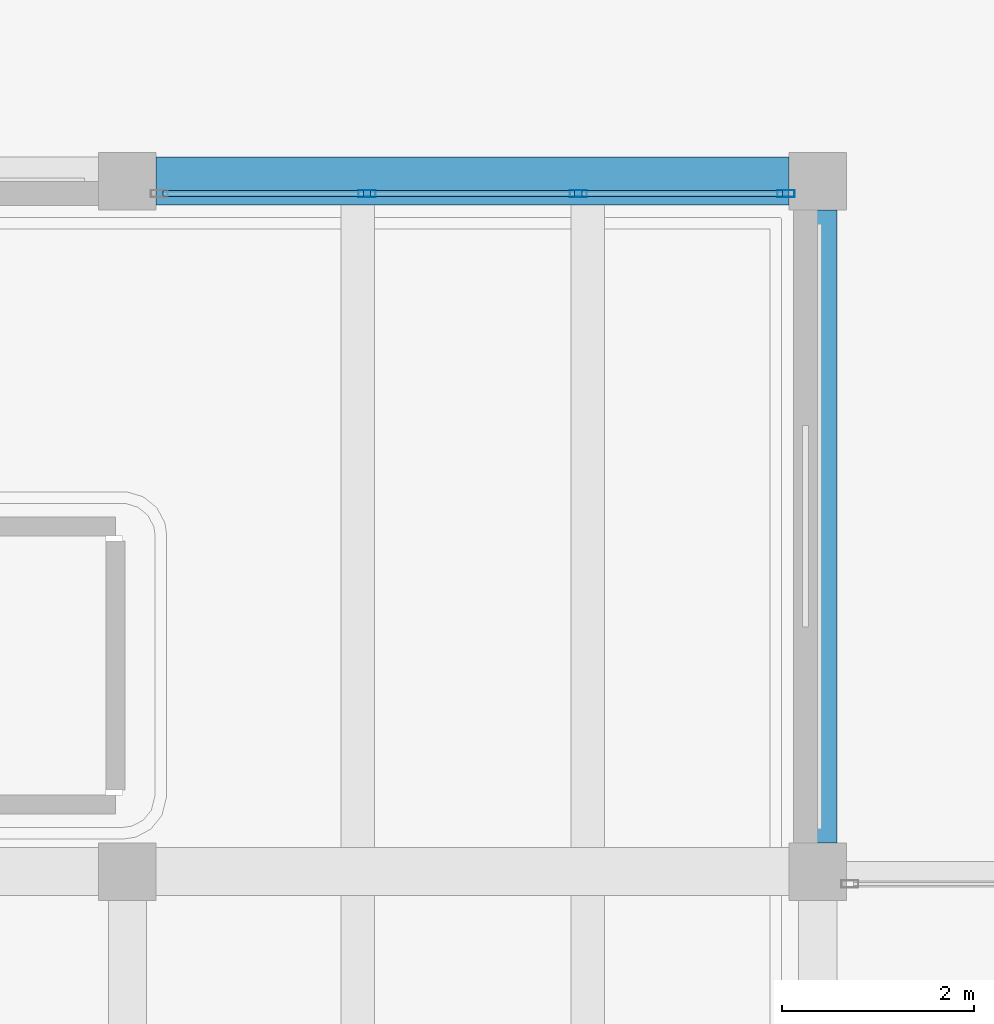
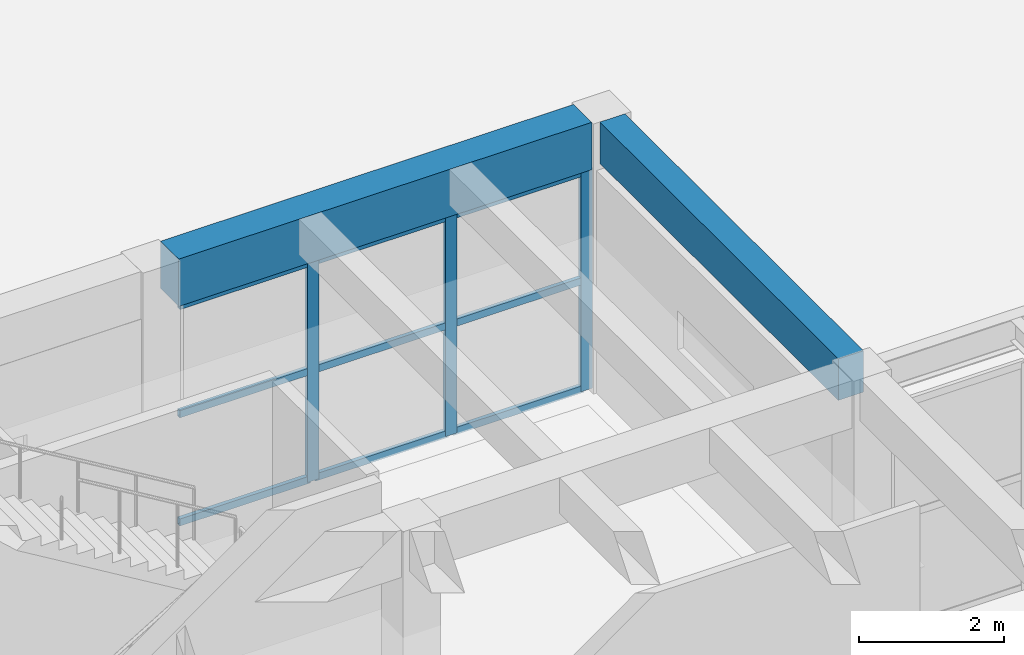
# One storey, part 26 of 155: 12 members, 2 beams, 1 element without a shape of its own.
"""IFC4 building model written with IfcOpenShell, lengths in metres."""

import ifcopenshell
import ifcopenshell.guid

model = None  # the IFC model being written
_history = None  # IfcOwnerHistory: only IFC2X3 demands one
_inside = {}  # id of a spatial element -> (the spatial element, [elements in it])
_under = {}  # id of a project, library or spatial element -> (it, [spatial elements below it])
_declared = {}  # id of a project -> (the project, [libraries it declares])
_typed = {}  # id of a type object -> (the type object, [elements of that type])
_made_of = {}  # id of a material, layer set ... -> (it, [elements and type objects made of it])


def new_model(schema):
    """Start an empty IFC model of exactly this schema.

    Asked for "IFC4X3", IfcOpenShell would pick the latest addendum, in which some entities
    have other attributes; the version numbers below select the first issue.
    IFC2X3 requires an IfcOwnerHistory on every rooted entity: one is made here for all.
    """
    global model, _history
    if schema == "IFC4X3":
        model = ifcopenshell.file(schema_version=(4, 3, 0, 0))
    else:
        model = ifcopenshell.file(schema=schema)
    _inside.clear()
    _under.clear()
    _declared.clear()
    _typed.clear()
    _made_of.clear()
    _history = None
    if model.schema == "IFC2X3":
        org = make("IfcOrganization", Name="unknown")
        user = make(
            "IfcPersonAndOrganization",
            ThePerson=make("IfcPerson", FamilyName="unknown"),
            TheOrganization=org,
        )
        app = make(
            "IfcApplication",
            ApplicationDeveloper=org,
            Version="unknown",
            ApplicationFullName="unknown",
            ApplicationIdentifier="unknown",
        )
        _history = make(
            "IfcOwnerHistory",
            OwningUser=user,
            OwningApplication=app,
            ChangeAction="ADDED",
            CreationDate=0,
        )
    return model


def make(cls, **values):
    """One entity of the class cls with the attributes given. An attribute that is None is left unset."""
    return model.create_entity(
        cls, **{name: value for name, value in values.items() if value is not None}
    )


def rooted(cls, **values):
    """An entity with a GlobalId (a new one), such as an element, a storey or a relation."""
    return make(cls, GlobalId=ifcopenshell.guid.new(), OwnerHistory=_history, **values)


def si_unit(unit_type, name, prefix=None):
    """IfcSIUnit, for example si_unit("LENGTHUNIT", "METRE", prefix="MILLI")."""
    return make("IfcSIUnit", UnitType=unit_type, Prefix=prefix, Name=name)


def assignment(units):
    """IfcUnitAssignment: the units of a project."""
    return None if units is None else make("IfcUnitAssignment", Units=units)


def point(xyz):
    """IfcCartesianPoint."""
    return None if xyz is None else make("IfcCartesianPoint", Coordinates=xyz)


def direction(xyz):
    """IfcDirection."""
    return None if xyz is None else make("IfcDirection", DirectionRatios=xyz)


def frame(location, z_axis=None, x_axis=None):
    """IfcAxis2Placement3D, a coordinate frame: its origin and axes. An axis left out is left unset."""
    return make(
        "IfcAxis2Placement3D",
        Location=point(location),
        Axis=direction(z_axis),
        RefDirection=direction(x_axis),
    )


def frame_2d(location, x_axis=None):
    """IfcAxis2Placement2D, a coordinate frame in the plane: its origin and x axis."""
    return make(
        "IfcAxis2Placement2D", Location=point(location), RefDirection=direction(x_axis)
    )


def origin():
    """The frame at (0, 0, 0) with its axes left unset."""
    return frame((0.0, 0.0, 0.0))


def origin_2d():
    """The frame at (0, 0) in the plane with its x axis left unset."""
    return frame_2d((0.0, 0.0))


def place(relative_to, where):
    """IfcLocalPlacement: puts the frame where relative to a parent placement (None: the world)."""
    return make(
        "IfcLocalPlacement", PlacementRelTo=relative_to, RelativePlacement=where
    )


def context(
    kind, dimensions, precision=None, world=None, true_north=None, identifier=None
):
    """IfcGeometricRepresentationContext, for example the 3D "Model" context."""
    return make(
        "IfcGeometricRepresentationContext",
        ContextIdentifier=identifier,
        ContextType=kind,
        CoordinateSpaceDimension=dimensions,
        Precision=precision,
        WorldCoordinateSystem=world,
        TrueNorth=true_north,
    )


def subcontext(parent, identifier, kind, view, scale=None):
    """IfcGeometricRepresentationSubContext, for example "Body" below "Model"."""
    return make(
        "IfcGeometricRepresentationSubContext",
        ContextIdentifier=identifier,
        ContextType=kind,
        ParentContext=parent,
        TargetScale=scale,
        TargetView=view,
    )


def project(units=None, contexts=None):
    """IfcProject with its units and contexts."""
    return rooted(
        "IfcProject",
        Name="project",
        RepresentationContexts=contexts,
        UnitsInContext=assignment(units),
    )


def spatial(cls, under=None, at=None, **own):
    """A site, building, storey or space (cls), placed at a placement, below another one or the project."""
    s = rooted(cls, ObjectPlacement=at, **own)
    if under is not None:
        _under.setdefault(under.id(), (under, []))[1].append(s)
    return s


def profile(cls, at=None, kind="AREA", **sizes):
    """A parametric profile (cls). Its sizes go by their IFC names, for example OverallWidth=200.0."""
    return make(cls, ProfileType=kind, Position=at, **sizes)


def rectangle(**sizes):
    """IfcRectangleProfileDef."""
    return profile("IfcRectangleProfileDef", **sizes)


def hollow_rectangle(**sizes):
    """IfcRectangleHollowProfileDef."""
    return profile("IfcRectangleHollowProfileDef", **sizes)


def extrude(swept, where, along, depth):
    """IfcExtrudedAreaSolid: the profile swept, set in the frame where, extruded along a direction by depth."""
    return make(
        "IfcExtrudedAreaSolid",
        SweptArea=swept,
        Position=where,
        ExtrudedDirection=direction(along),
        Depth=depth,
    )


def shape(context_of_items, identifier, shape_type, items):
    """IfcShapeRepresentation: the items that make up one representation, for example the "Body"."""
    return make(
        "IfcShapeRepresentation",
        ContextOfItems=context_of_items,
        RepresentationIdentifier=identifier,
        RepresentationType=shape_type,
        Items=items,
    )


def material(Name=None, Category=None):
    """IfcMaterial."""
    return make("IfcMaterial", Name=Name, Category=Category)


def material_profile(
    of_material, cross_section, Name=None, Category=None, Priority=None
):
    """IfcMaterialProfile: a cross section and its material."""
    return make(
        "IfcMaterialProfile",
        Name=Name,
        Material=of_material,
        Profile=cross_section,
        Priority=Priority,
        Category=Category,
    )


def profile_set(profiles, Name=None, composite=None):
    """IfcMaterialProfileSet."""
    return make(
        "IfcMaterialProfileSet",
        Name=Name,
        MaterialProfiles=profiles,
        CompositeProfile=composite,
    )


def made_of(thing, what):
    """Note that an element or type object is made of a material, layer set ...; save() writes the relation."""
    if what is not None:
        _made_of.setdefault(what.id(), (what, []))[1].append(thing)
    return thing


def type_object(cls, material=None, **own):
    """A type object (cls), such as IfcWallType, which elements share."""
    return made_of(rooted(cls, **own), material)


def element(
    cls,
    number,
    at=None,
    inside=None,
    cuts=None,
    type_object=None,
    material=None,
    context=None,
    identifier="Body",
    shape_type=None,
    held_by="IfcProductDefinitionShape",
    body=None,
    shapes=None,
    **own,
):
    """One element of the class cls, such as IfcWall. Its Tag is "e" and its number.

    at: its placement. inside: the storey or other place that contains it. cuts: it is an
    opening in that element (IfcRelVoidsElement). A single representation is given by context,
    identifier, shape_type and body (its items); several are given by shapes. held_by: the class
    of the entity that holds the representations. save() writes the other relations.
    """
    e = rooted(cls, Tag="e%d" % number, ObjectPlacement=at, **own)
    if body is not None:
        shapes = [shape(context, identifier, shape_type, body)]
    if shapes is not None:
        e.Representation = make(held_by, Representations=shapes)
    if inside is not None:
        _inside.setdefault(inside.id(), (inside, []))[1].append(e)
    if cuts is not None:
        rooted(
            "IfcRelVoidsElement", RelatingBuildingElement=cuts, RelatedOpeningElement=e
        )
    if type_object is not None:
        _typed.setdefault(type_object.id(), (type_object, []))[1].append(e)
    return made_of(e, material)


def aggregate(whole, parts):
    """IfcRelAggregates: a whole, such as a stair, and the parts it consists of."""
    return rooted("IfcRelAggregates", RelatingObject=whole, RelatedObjects=parts)


def save(model, path):
    """Write the relations noted so far, then the file.

    IfcRelAggregates (storeys below a building ...), IfcRelContainedInSpatialStructure (elements
    in a storey), IfcRelDefinesByType, IfcRelAssociatesMaterial and IfcRelDeclares: one each for
    every whole, place, type object, material and project.
    """
    for whole, parts in _under.values():
        aggregate(whole, parts)
    for where, things in _inside.values():
        rooted(
            "IfcRelContainedInSpatialStructure",
            RelatedElements=things,
            RelatingStructure=where,
        )
    for kind, things in _typed.values():
        rooted("IfcRelDefinesByType", RelatedObjects=things, RelatingType=kind)
    for what, things in _made_of.values():
        rooted("IfcRelAssociatesMaterial", RelatedObjects=things, RelatingMaterial=what)
    for by, libraries in _declared.values():
        rooted("IfcRelDeclares", RelatingContext=by, RelatedDefinitions=libraries)
    model.write(path)


model = new_model("IFC4")

# Units and contexts
model_context = context("Model", 3, precision=1e-05, world=origin(), true_north=direction((0.0, 1.0)))
body_context = subcontext(model_context, "Body", "Model", "MODEL_VIEW")
ifc_project = project(units=[si_unit("LENGTHUNIT", "METRE"), si_unit("AREAUNIT", "SQUARE_METRE"), si_unit("VOLUMEUNIT", "CUBIC_METRE"), si_unit("PLANEANGLEUNIT", "RADIAN"), si_unit("MASSUNIT", "GRAM", prefix="KILO")], contexts=[model_context])

# Site, building, storey
site_placement = place(None, origin())
site = spatial("IfcSite", under=ifc_project, at=site_placement, CompositionType="ELEMENT")
building_placement = place(site_placement, origin())
building = spatial("IfcBuilding", under=site, at=building_placement, Name="Bramvelor Terrace Health Centre", CompositionType="ELEMENT")
storey_placement = place(building_placement, origin())
storey = spatial("IfcBuildingStorey", under=building, at=storey_placement, Name="L01", CompositionType="ELEMENT", Elevation=0.0)

# Beams
ifc_material_1 = material(Name="Concrete C40/50", Category="concrete")
ifc_material_profile_1 = material_profile(ifc_material_1, rectangle(XDim=0.39990234375, YDim=0.699951171875, at=origin_2d()), Name="RC 400x700")
ifc_profile_set_1 = profile_set([ifc_material_profile_1], Name="Concrete C40/50")
beam_type_1 = type_object("IfcBeamType", Name="BM-RC-G700", PredefinedType="BEAM", material=ifc_profile_set_1)
beam_1_placement = place(storey_placement, frame((28.800048828125, 57.89990234375, 4.2099609375), z_axis=(0.0, 1.0, 0.0), x_axis=(-1.0, 0.0, 0.0)))
element("IfcBeam", 1, at=beam_1_placement, inside=storey, type_object=beam_type_1, Name="L01 Floor Girder", PredefinedType="BEAM", context=body_context, shape_type="SweptSolid", body=[
    extrude(rectangle(XDim=0.39990234375, YDim=0.699951171875, at=origin_2d()), origin(), (0.0, 0.0, 1.0), 6.60009765625),
])
ifc_material_2 = material(Name="Concrete C40/50", Category="concrete")
ifc_material_profile_2 = material_profile(ifc_material_2, rectangle(XDim=0.5, YDim=0.800048828125, at=origin_2d()), Name="RC 500x800")
ifc_profile_set_2 = profile_set([ifc_material_profile_2], Name="Concrete C40/50")
beam_type_2 = type_object("IfcBeamType", Name="BM-RC-G800", PredefinedType="BEAM", material=ifc_profile_set_2)
beam_2_placement = place(storey_placement, frame((21.89990234375, 64.800048828125, 4.159912109375), z_axis=(1.0, 0.0, 0.0), x_axis=(0.0, 1.0, 0.0)))
element("IfcBeam", 2, at=beam_2_placement, inside=storey, type_object=beam_type_2, Name="L01 Floor Girder", PredefinedType="BEAM", context=body_context, shape_type="SweptSolid", body=[
    extrude(rectangle(XDim=0.5, YDim=0.800048828125, at=origin_2d()), origin(), (0.0, 0.0, 1.0), 6.60009765625),
])

# Curtain wall, members
ifc_material_3 = material(Name="Anodized aluminium and double low-E glass", Category="aluminium")
curtain_wall_type = type_object("IfcCurtainWallType", Name="CW-SYS-02", PredefinedType="NOTDEFINED", material=ifc_material_3)
curtain_wall_placement = place(storey_placement, origin())
curtain_wall = element("IfcCurtainWall", 3, at=curtain_wall_placement, inside=storey, type_object=curtain_wall_type, Name="L01 Unitized Curtain Wall 10", PredefinedType="NOTDEFINED")
ifc_material_4 = material(Name="Anodized aluminium 6063-T6", Category="aluminium")
ifc_material_profile_3 = material_profile(ifc_material_4, hollow_rectangle(XDim=0.074951171875, YDim=0.179931640625, WallThickness=0.00341796875, at=origin_2d()), Name="ALU-MUL 75x180x3.5")
ifc_profile_set_3 = profile_set([ifc_material_profile_3], Name="Anodized aluminium 6063-T6")
member_type_1 = type_object("IfcMemberType", Name="CW-MUL-65x180", PredefinedType="MULLION", material=ifc_profile_set_3)
member_1_placement = place(storey_placement, frame((24.098388671875, 64.669921875, 0.0), z_axis=(0.0, 0.0, 1.0), x_axis=(0.0, 1.0, 0.0)))
member_1 = element("IfcMember", 4, at=member_1_placement, type_object=member_type_1, Name="CW-02 mullion 2", PredefinedType="MULLION", context=body_context, shape_type="SweptSolid", body=[
    extrude(hollow_rectangle(XDim=0.074951171875, YDim=0.179931640625, WallThickness=0.00341796875, at=origin_2d()), origin(), (0.0, 0.0, 1.0), 3.719970703125),
])
member_2_placement = place(storey_placement, frame((26.3017578125, 64.669921875, 0.0), z_axis=(0.0, 0.0, 1.0), x_axis=(0.0, 1.0, 0.0)))
member_2 = element("IfcMember", 5, at=member_2_placement, type_object=member_type_1, Name="CW-02 mullion 3", PredefinedType="MULLION", context=body_context, shape_type="SweptSolid", body=[
    extrude(hollow_rectangle(XDim=0.074951171875, YDim=0.179931640625, WallThickness=0.00341796875, at=origin_2d()), origin(), (0.0, 0.0, 1.0), 3.719970703125),
])
member_3_placement = place(storey_placement, frame((28.467529296875, 64.669921875, 0.0), z_axis=(0.0, 0.0, 1.0), x_axis=(0.0, 1.0, 0.0)))
member_3 = element("IfcMember", 6, at=member_3_placement, type_object=member_type_1, Name="CW-02 mullion 4", PredefinedType="MULLION", context=body_context, shape_type="SweptSolid", body=[
    extrude(hollow_rectangle(XDim=0.074951171875, YDim=0.179931640625, WallThickness=0.00341796875, at=origin_2d()), origin(), (0.0, 0.0, 1.0), 3.719970703125),
])
ifc_material_5 = material(Name="Anodized aluminium 6063-T6", Category="aluminium")
ifc_material_profile_4 = material_profile(ifc_material_5, hollow_rectangle(XDim=0.06494140625, YDim=0.1201171875, WallThickness=0.0029296875, at=origin_2d()), Name="ALU-TRN 65x120x3.0")
ifc_profile_set_4 = profile_set([ifc_material_profile_4], Name="Anodized aluminium 6063-T6")
member_type_2 = type_object("IfcMemberType", Name="CW-TRN-65x150", PredefinedType="USERDEFINED", material=ifc_profile_set_4)
member_4_placement = place(storey_placement, frame((21.969970703125, 64.669921875, 0.032470703125), z_axis=(1.0, 0.0, 0.0), x_axis=(0.0, 1.0, 0.0)))
member_4 = element("IfcMember", 7, at=member_4_placement, type_object=member_type_2, Name="CW-02 transom 1.1", ObjectType="TRANSOM", PredefinedType="USERDEFINED", context=body_context, shape_type="SweptSolid", body=[
    extrude(hollow_rectangle(XDim=0.06494140625, YDim=0.1201171875, WallThickness=0.0029296875, at=origin_2d()), origin(), (0.0, 0.0, 1.0), 2.0908203125),
])
member_5_placement = place(storey_placement, frame((21.969970703125, 64.669921875, 1.860107421875), z_axis=(1.0, 0.0, 0.0), x_axis=(0.0, 1.0, 0.0)))
member_5 = element("IfcMember", 8, at=member_5_placement, type_object=member_type_2, Name="CW-02 transom 1.2", ObjectType="TRANSOM", PredefinedType="USERDEFINED", context=body_context, shape_type="SweptSolid", body=[
    extrude(hollow_rectangle(XDim=0.06494140625, YDim=0.1201171875, WallThickness=0.0029296875, at=origin_2d()), origin(), (0.0, 0.0, 1.0), 2.0908203125),
])
member_6_placement = place(storey_placement, frame((21.969970703125, 64.669921875, 3.6875), z_axis=(1.0, 0.0, 0.0), x_axis=(0.0, 1.0, 0.0)))
member_6 = element("IfcMember", 9, at=member_6_placement, type_object=member_type_2, Name="CW-02 transom 1.3", ObjectType="TRANSOM", PredefinedType="USERDEFINED", context=body_context, shape_type="SweptSolid", body=[
    extrude(hollow_rectangle(XDim=0.06494140625, YDim=0.1201171875, WallThickness=0.0029296875, at=origin_2d()), origin(), (0.0, 0.0, 1.0), 2.0908203125),
])
member_7_placement = place(storey_placement, frame((24.1357421875, 64.669921875, 0.032470703125), z_axis=(1.0, 0.0, 0.0), x_axis=(0.0, 1.0, 0.0)))
member_7 = element("IfcMember", 10, at=member_7_placement, type_object=member_type_2, Name="CW-02 transom 2.1", ObjectType="TRANSOM", PredefinedType="USERDEFINED", context=body_context, shape_type="SweptSolid", body=[
    extrude(hollow_rectangle(XDim=0.06494140625, YDim=0.1201171875, WallThickness=0.0029296875, at=origin_2d()), origin(), (0.0, 0.0, 1.0), 2.12841796875),
])
member_8_placement = place(storey_placement, frame((24.1357421875, 64.669921875, 1.860107421875), z_axis=(1.0, 0.0, 0.0), x_axis=(0.0, 1.0, 0.0)))
member_8 = element("IfcMember", 11, at=member_8_placement, type_object=member_type_2, Name="CW-02 transom 2.2", ObjectType="TRANSOM", PredefinedType="USERDEFINED", context=body_context, shape_type="SweptSolid", body=[
    extrude(hollow_rectangle(XDim=0.06494140625, YDim=0.1201171875, WallThickness=0.0029296875, at=origin_2d()), origin(), (0.0, 0.0, 1.0), 2.12841796875),
])
member_9_placement = place(storey_placement, frame((24.1357421875, 64.669921875, 3.6875), z_axis=(1.0, 0.0, 0.0), x_axis=(0.0, 1.0, 0.0)))
member_9 = element("IfcMember", 12, at=member_9_placement, type_object=member_type_2, Name="CW-02 transom 2.3", ObjectType="TRANSOM", PredefinedType="USERDEFINED", context=body_context, shape_type="SweptSolid", body=[
    extrude(hollow_rectangle(XDim=0.06494140625, YDim=0.1201171875, WallThickness=0.0029296875, at=origin_2d()), origin(), (0.0, 0.0, 1.0), 2.12841796875),
])
member_10_placement = place(storey_placement, frame((26.339111328125, 64.669921875, 0.032470703125), z_axis=(1.0, 0.0, 0.0), x_axis=(0.0, 1.0, 0.0)))
member_10 = element("IfcMember", 13, at=member_10_placement, type_object=member_type_2, Name="CW-02 transom 3.1", ObjectType="TRANSOM", PredefinedType="USERDEFINED", context=body_context, shape_type="SweptSolid", body=[
    extrude(hollow_rectangle(XDim=0.06494140625, YDim=0.1201171875, WallThickness=0.0029296875, at=origin_2d()), origin(), (0.0, 0.0, 1.0), 2.0908203125),
])
member_11_placement = place(storey_placement, frame((26.339111328125, 64.669921875, 1.860107421875), z_axis=(1.0, 0.0, 0.0), x_axis=(0.0, 1.0, 0.0)))
member_11 = element("IfcMember", 14, at=member_11_placement, type_object=member_type_2, Name="CW-02 transom 3.2", ObjectType="TRANSOM", PredefinedType="USERDEFINED", context=body_context, shape_type="SweptSolid", body=[
    extrude(hollow_rectangle(XDim=0.06494140625, YDim=0.1201171875, WallThickness=0.0029296875, at=origin_2d()), origin(), (0.0, 0.0, 1.0), 2.0908203125),
])
member_12_placement = place(storey_placement, frame((26.339111328125, 64.669921875, 3.6875), z_axis=(1.0, 0.0, 0.0), x_axis=(0.0, 1.0, 0.0)))
member_12 = element("IfcMember", 15, at=member_12_placement, type_object=member_type_2, Name="CW-02 transom 3.3", ObjectType="TRANSOM", PredefinedType="USERDEFINED", context=body_context, shape_type="SweptSolid", body=[
    extrude(hollow_rectangle(XDim=0.06494140625, YDim=0.1201171875, WallThickness=0.0029296875, at=origin_2d()), origin(), (0.0, 0.0, 1.0), 2.0908203125),
])
aggregate(curtain_wall, [member_1, member_2, member_3, member_4, member_5, member_6, member_7, member_8, member_9, member_10, member_11, member_12])

save(model, "model.ifc")
